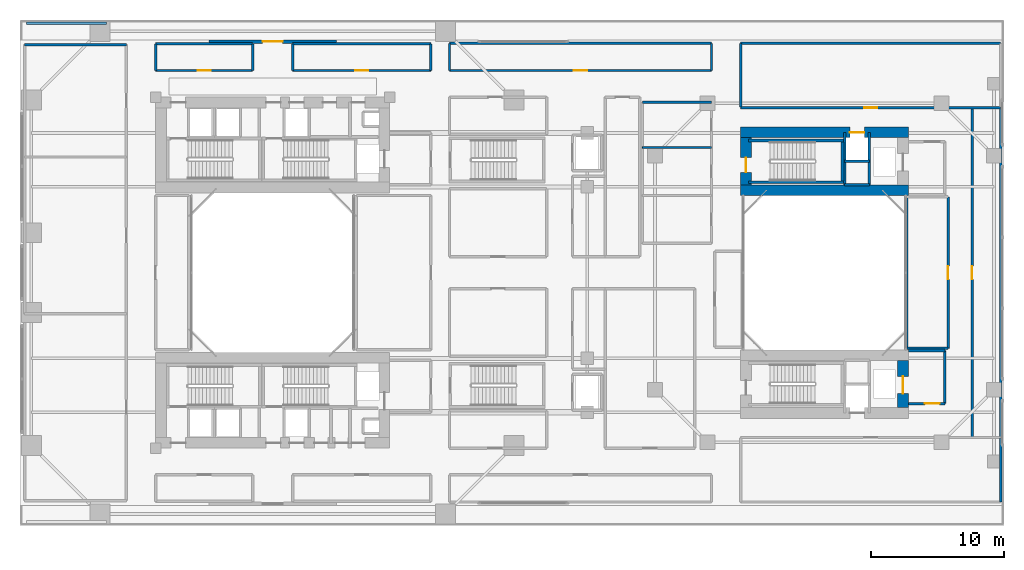
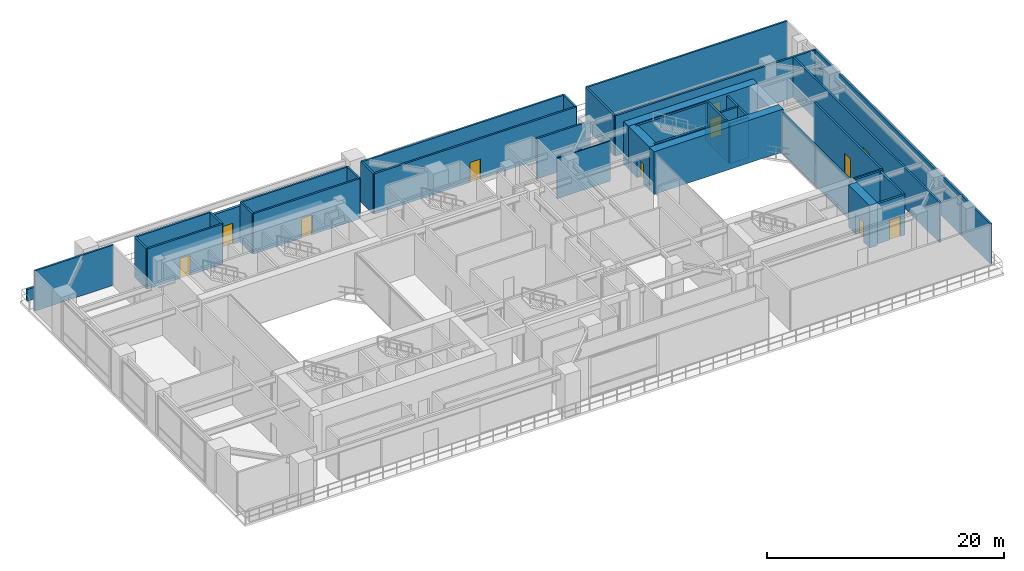
# One storey, part 15 of 20: 40 walls, 11 doors, 11 openings.
"""IFC4 building model written with IfcOpenShell, lengths in metres."""

from ifc_helpers import new_model, si_unit, direction, frame, frame_2d, origin, place, context, subcontext, project, spatial, rectangle, extrude, source, transform, mapped, material, layer, layer_set, type_object, element, fill, save


model = new_model("IFC4")

# Units and contexts
model_context = context("Model", 3, precision=1e-05, world=origin(), true_north=direction((0.0, 1.0)))
body_context = subcontext(model_context, "Body", "Model", "MODEL_VIEW")
ifc_project = project(units=[si_unit("LENGTHUNIT", "METRE"), si_unit("AREAUNIT", "SQUARE_METRE"), si_unit("VOLUMEUNIT", "CUBIC_METRE"), si_unit("PLANEANGLEUNIT", "RADIAN"), si_unit("MASSUNIT", "GRAM", prefix="KILO"), si_unit("THERMODYNAMICTEMPERATUREUNIT", "KELVIN"), si_unit("POWERUNIT", "WATT")], contexts=[model_context])

# Site, building, storey
site_placement = place(None, origin())
site = spatial("IfcSite", under=ifc_project, at=site_placement, CompositionType="ELEMENT")
building_placement = place(site_placement, origin())
building = spatial("IfcBuilding", under=site, at=building_placement, Name="Qiaomeng Ring Towers", CompositionType="ELEMENT")
storey_placement = place(building_placement, frame((0.0, 0.0, 13.800048828125)))
storey = spatial("IfcBuildingStorey", under=building, at=storey_placement, Name="L03", CompositionType="ELEMENT", Elevation=13.800048828125)

# Wall, opening, door
ifc_material_1 = material(Name="Precast concrete C40", Category="concrete")
ifc_layer_1 = layer(ifc_material_1, 0.25, Name="Precast concrete C40")
ifc_layer_set_1 = layer_set([ifc_layer_1], Name="Precast concrete C40")
wall_type_1 = type_object("IfcWallType", Name="ARC-WL-EW1", PredefinedType="STANDARD", material=ifc_layer_set_1)
wall_1_placement = place(storey_placement, frame((14.199951171875, 40.375, 0.0), z_axis=(0.0, 0.0, 1.0), x_axis=(1.0, 0.0, 0.0)))
wall_1 = element("IfcWall", 1, at=wall_1_placement, inside=storey, type_object=wall_type_1, Name="L03 North Podium Wall", PredefinedType="STANDARD", context=body_context, shape_type="SweptSolid", body=[
    extrude(rectangle(XDim=9.60009765625, YDim=0.25, at=frame_2d((4.800048828125, 0.0))), origin(), (0.0, 0.0, 1.0), 3.68994140625),
])
opening_1_placement = place(wall_1_placement, frame((4.050048828125, 0.0, 0.0)))
opening_1 = element("IfcOpeningElement", 2, at=opening_1_placement, cuts=wall_1, Name="Opening BD2", PredefinedType="OPENING", context=body_context, shape_type="SweptSolid", body=[
    extrude(rectangle(XDim=1.5, YDim=2.14990234375, at=frame_2d((0.75, 1.074951171875))), frame((0.0, 0.135009765625, 0.0), z_axis=(0.0, -1.0, 0.0), x_axis=(1.0, 0.0, 0.0)), (0.0, 0.0, 1.0), 0.27001953125),
])
ifc_material_2 = material(Name="Low-E pale-green laminated safety glass", Category="glass")
door_type_1 = type_object("IfcDoorType", Name="ARC-DR-BD2", OperationType="NOTDEFINED", PredefinedType="DOOR", material=ifc_material_2)
shared_shape_1 = source(origin(), body_context, "Body", "SweptSolid", [
    extrude(rectangle(XDim=1.5, YDim=2.14990234375, at=frame_2d((0.75, 1.074951171875))), frame((0.0, 0.02490234375, 0.0), z_axis=(0.0, -1.0, 0.0), x_axis=(1.0, 0.0, 0.0)), (0.0, 0.0, 1.0), 0.050048828125),
])
door_1_placement = place(opening_1_placement, origin())
door_1 = element("IfcDoor", 3, at=door_1_placement, inside=storey, type_object=door_type_1, Name="L03 North Podium Terrace Door", OperationType="DOUBLE_DOOR_SINGLE_SWING", OverallHeight=2.14990234375, OverallWidth=1.5, PredefinedType="DOOR", context=body_context, shape_type="MappedRepresentation", body=[
    mapped(shared_shape_1, transform((0.0, 0.0, 0.0), x_axis=(1.0, 0.0, 0.0), y_axis=(0.0, 1.0, 0.0), z_axis=(0.0, 0.0, 1.0), scale=1.0)),
])
fill(opening_1, door_1)

# Walls
ifc_layer_2 = layer(ifc_material_1, 0.199951171875, Name="Precast concrete C40")
ifc_layer_set_2 = layer_set([ifc_layer_2], Name="Precast concrete C40")
wall_type_2 = type_object("IfcWallType", Name="ARC-WL-PP1", PredefinedType="PARAPET", material=ifc_layer_set_2)
wall_2_placement = place(storey_placement, frame((0.5, 41.75, 0.0), z_axis=(0.0, 0.0, 1.0), x_axis=(1.0, 0.0, 0.0)))
element("IfcWall", 4, at=wall_2_placement, inside=storey, type_object=wall_type_2, Name="L03 North Terrace Parapet PP1", PredefinedType="PARAPET", context=body_context, shape_type="SweptSolid", body=[
    extrude(rectangle(XDim=6.0, YDim=0.199951171875, at=frame_2d((3.0, 0.0))), origin(), (0.0, 0.0, 1.0), 1.199951171875),
])
ifc_material_3 = material(Name="Autoclaved aerated concrete block", Category="concrete")
ifc_layer_3 = layer(ifc_material_3, 0.199951171875, Name="Autoclaved aerated concrete block")
ifc_layer_set_3 = layer_set([ifc_layer_3], Name="Autoclaved aerated concrete block")
wall_type_3 = type_object("IfcWallType", Name="ARC-WL-PW1", PredefinedType="PARTITIONING", material=ifc_layer_set_3)
wall_3_placement = place(storey_placement, frame((66.800048828125, 17.14990234375, 0.0), z_axis=(0.0, 0.0, 1.0), x_axis=(1.0, 0.0, 0.0)))
element("IfcWall", 5, at=wall_3_placement, inside=storey, type_object=wall_type_3, Name="L03 Interior Wall PW1", PredefinedType="PARTITIONING", context=body_context, shape_type="SweptSolid", body=[
    extrude(rectangle(XDim=2.75, YDim=0.199951171875, at=frame_2d((1.375, 0.0))), origin(), (0.0, 0.0, 1.0), 4.14990234375),
])
wall_4_placement = place(storey_placement, frame((69.550048828125, 13.14990234375, 0.0), z_axis=(0.0, 0.0, 1.0), x_axis=(0.0, 1.0, 0.0)))
element("IfcWall", 6, at=wall_4_placement, inside=storey, type_object=wall_type_3, Name="L03 Interior Wall PW1", PredefinedType="PARTITIONING", context=body_context, shape_type="SweptSolid", body=[
    extrude(rectangle(XDim=4.0, YDim=0.199951171875, at=frame_2d((2.0, 0.0))), origin(), (0.0, 0.0, 1.0), 4.14990234375),
])

# Wall, opening, door
wall_5_placement = place(storey_placement, frame((66.800048828125, 13.14990234375, 0.0), z_axis=(0.0, 0.0, 1.0), x_axis=(1.0, 0.0, 0.0)))
wall_5 = element("IfcWall", 7, at=wall_5_placement, inside=storey, type_object=wall_type_3, Name="L03 Interior Wall PW1", PredefinedType="PARTITIONING", context=body_context, shape_type="SweptSolid", body=[
    extrude(rectangle(XDim=2.75, YDim=0.199951171875, at=frame_2d((1.375, 0.0))), origin(), (0.0, 0.0, 1.0), 4.14990234375),
])
opening_2_placement = place(wall_5_placement, frame((1.25, 0.0, 0.0)))
opening_2 = element("IfcOpeningElement", 8, at=opening_2_placement, cuts=wall_5, Name="Opening FD3", PredefinedType="OPENING", context=body_context, shape_type="SweptSolid", body=[
    extrude(rectangle(XDim=1.10009765625, YDim=2.050048828125, at=frame_2d((0.550048828125, 1.02490234375))), frame((0.0, 0.10986328125, 0.0), z_axis=(0.0, -1.0, 0.0), x_axis=(1.0, 0.0, 0.0)), (0.0, 0.0, 1.0), 0.219970703125),
])
ifc_material_4 = material(Name="Galvanised steel", Category="steel")
door_type_2 = type_object("IfcDoorType", Name="ARC-DR-FD3", OperationType="NOTDEFINED", PredefinedType="DOOR", material=ifc_material_4)
shared_shape_2 = source(origin(), body_context, "Body", "SweptSolid", [
    extrude(rectangle(XDim=1.10009765625, YDim=2.050048828125, at=frame_2d((0.550048828125, 1.02490234375))), frame((0.0, 0.02490234375, 0.0), z_axis=(0.0, -1.0, 0.0), x_axis=(1.0, 0.0, 0.0)), (0.0, 0.0, 1.0), 0.050048828125),
])
door_2_placement = place(opening_2_placement, origin())
door_2 = element("IfcDoor", 9, at=door_2_placement, inside=storey, type_object=door_type_2, Name="L03 Door FD3", OperationType="SINGLE_SWING_RIGHT", OverallHeight=2.050048828125, OverallWidth=1.10009765625, PredefinedType="DOOR", context=body_context, shape_type="MappedRepresentation", body=[
    mapped(shared_shape_2, transform((0.0, 0.0, 0.0), x_axis=(1.0, 0.0, 0.0), y_axis=(0.0, 1.0, 0.0), z_axis=(0.0, 0.0, 1.0), scale=1.0)),
])
fill(opening_2, door_2)

# Walls
ifc_layer_4 = layer(ifc_material_3, 0.179931640625, Name="Autoclaved aerated concrete block")
ifc_layer_set_4 = layer_set([ifc_layer_4], Name="Autoclaved aerated concrete block")
wall_type_4 = type_object("IfcWallType", Name="ARC-WL-PW2", PredefinedType="PARTITIONING", material=ifc_layer_set_4)
wall_6_placement = place(storey_placement, frame((46.800048828125, 35.800048828125, 0.0), z_axis=(0.0, 0.0, 1.0), x_axis=(1.0, 0.0, 0.0)))
element("IfcWall", 10, at=wall_6_placement, inside=storey, type_object=wall_type_4, Name="L03 Interior Wall PW2", PredefinedType="PARTITIONING", context=body_context, shape_type="SweptSolid", body=[
    extrude(rectangle(XDim=5.199951171875, YDim=0.179931640625, at=frame_2d((2.60009765625, 0.0))), origin(), (0.0, 0.0, 1.0), 4.14990234375),
])
wall_7_placement = place(storey_placement, frame((0.35009765625, 40.14990234375, 0.0), z_axis=(0.0, 0.0, 1.0), x_axis=(1.0, 0.0, 0.0)))
element("IfcWall", 11, at=wall_7_placement, inside=storey, type_object=wall_type_4, Name="L03 Interior Wall PW2", PredefinedType="PARTITIONING", context=body_context, shape_type="SweptSolid", body=[
    extrude(rectangle(XDim=7.64990234375, YDim=0.179931640625, at=frame_2d((3.824951171875, 0.0))), origin(), (0.0, 0.0, 1.0), 4.14990234375),
])

# Wall, opening, door
wall_8_placement = place(storey_placement, frame((10.199951171875, 38.199951171875, 0.0), z_axis=(0.0, 0.0, 1.0), x_axis=(1.0, 0.0, 0.0)))
wall_8 = element("IfcWall", 12, at=wall_8_placement, inside=storey, type_object=wall_type_4, Name="L03 Interior Wall PW2", PredefinedType="PARTITIONING", context=body_context, shape_type="SweptSolid", body=[
    extrude(rectangle(XDim=7.300048828125, YDim=0.179931640625, at=frame_2d((3.64990234375, 0.0))), origin(), (0.0, 0.0, 1.0), 4.14990234375),
])
opening_3_placement = place(wall_8_placement, frame((3.14990234375, 0.0, 0.0)))
opening_3 = element("IfcOpeningElement", 13, at=opening_3_placement, cuts=wall_8, Name="Opening FD4", PredefinedType="OPENING", context=body_context, shape_type="SweptSolid", body=[
    extrude(rectangle(XDim=1.0, YDim=2.050048828125, at=frame_2d((0.5, 1.02490234375))), frame((0.0, 0.099853515625, 0.0), z_axis=(0.0, -1.0, 0.0), x_axis=(1.0, 0.0, 0.0)), (0.0, 0.0, 1.0), 0.199951171875),
])
ifc_material_5 = material(Name="Engineered fire-rated oak timber", Category="wood")
door_type_3 = type_object("IfcDoorType", Name="ARC-DR-FD4", OperationType="NOTDEFINED", PredefinedType="DOOR", material=ifc_material_5)
shared_shape_3 = source(origin(), body_context, "Body", "SweptSolid", [
    extrude(rectangle(XDim=1.0, YDim=2.050048828125, at=frame_2d((0.5, 1.02490234375))), frame((0.0, 0.02490234375, 0.0), z_axis=(0.0, -1.0, 0.0), x_axis=(1.0, 0.0, 0.0)), (0.0, 0.0, 1.0), 0.050048828125),
])
door_3_placement = place(opening_3_placement, origin())
door_3 = element("IfcDoor", 14, at=door_3_placement, inside=storey, type_object=door_type_3, Name="L03 L03 Geriatric Wellness Clinic Door", OperationType="SINGLE_SWING_LEFT", OverallHeight=2.050048828125, OverallWidth=1.0, PredefinedType="DOOR", context=body_context, shape_type="MappedRepresentation", body=[
    mapped(shared_shape_3, transform((0.0, 0.0, 0.0), x_axis=(1.0, 0.0, 0.0), y_axis=(0.0, 1.0, 0.0), z_axis=(0.0, 0.0, 1.0), scale=1.0)),
])
fill(opening_3, door_3)

# Walls
wall_9_placement = place(storey_placement, frame((10.199951171875, 40.199951171875, 0.0), z_axis=(0.0, 0.0, 1.0), x_axis=(1.0, 0.0, 0.0)))
element("IfcWall", 15, at=wall_9_placement, inside=storey, type_object=wall_type_4, Name="L03 Interior Wall PW2", PredefinedType="PARTITIONING", context=body_context, shape_type="SweptSolid", body=[
    extrude(rectangle(XDim=7.300048828125, YDim=0.179931640625, at=frame_2d((3.64990234375, 0.0))), origin(), (0.0, 0.0, 1.0), 4.14990234375),
])
for number, where, z_axis, x_axis, name in (
    (16, (10.199951171875, 38.199951171875, 0.0), (0.0, 0.0, 1.0), (0.0, 1.0, 0.0), "L03 Interior Wall PW2"),
    (17, (17.5, 38.199951171875, 0.0), (0.0, 0.0, 1.0), (0.0, 1.0, 0.0), "L03 Interior Wall PW2"),
):
    element("IfcWall", number, at=place(storey_placement, frame(where, z_axis=z_axis, x_axis=x_axis)), inside=storey, type_object=wall_type_4, Name=name, PredefinedType="PARTITIONING", context=body_context, shape_type="SweptSolid", body=[
        extrude(rectangle(XDim=2.0, YDim=0.179931640625, at=frame_2d((1.0, 0.0))), origin(), (0.0, 0.0, 1.0), 4.14990234375),
    ])

# Wall, opening, door
wall_10_placement = place(storey_placement, frame((20.5, 38.199951171875, 0.0), z_axis=(0.0, 0.0, 1.0), x_axis=(1.0, 0.0, 0.0)))
wall_10 = element("IfcWall", 18, at=wall_10_placement, inside=storey, type_object=wall_type_4, Name="L03 Interior Wall PW2", PredefinedType="PARTITIONING", context=body_context, shape_type="SweptSolid", body=[
    extrude(rectangle(XDim=10.39990234375, YDim=0.179931640625, at=frame_2d((5.199951171875, 0.0))), origin(), (0.0, 0.0, 1.0), 4.14990234375),
])
opening_4_placement = place(wall_10_placement, frame((4.699951171875, 0.0, 0.0)))
opening_4 = element("IfcOpeningElement", 19, at=opening_4_placement, cuts=wall_10, Name="Opening FD4", PredefinedType="OPENING", context=body_context, shape_type="SweptSolid", body=[
    extrude(rectangle(XDim=1.0, YDim=2.050048828125, at=frame_2d((0.5, 1.02490234375))), frame((0.0, 0.099853515625, 0.0), z_axis=(0.0, -1.0, 0.0), x_axis=(1.0, 0.0, 0.0)), (0.0, 0.0, 1.0), 0.199951171875),
])
door_4_placement = place(opening_4_placement, origin())
door_4 = element("IfcDoor", 20, at=door_4_placement, inside=storey, type_object=door_type_3, Name="L03 L03 Medical Staff Conference Suite Door", OperationType="SINGLE_SWING_RIGHT", OverallHeight=2.050048828125, OverallWidth=1.0, PredefinedType="DOOR", context=body_context, shape_type="MappedRepresentation", body=[
    mapped(shared_shape_3, transform((0.0, 0.0, 0.0), x_axis=(1.0, 0.0, 0.0), y_axis=(0.0, 1.0, 0.0), z_axis=(0.0, 0.0, 1.0), scale=1.0)),
])
fill(opening_4, door_4)

# Walls
wall_11_placement = place(storey_placement, frame((20.5, 40.199951171875, 0.0), z_axis=(0.0, 0.0, 1.0), x_axis=(1.0, 0.0, 0.0)))
element("IfcWall", 21, at=wall_11_placement, inside=storey, type_object=wall_type_4, Name="L03 Interior Wall PW2", PredefinedType="PARTITIONING", context=body_context, shape_type="SweptSolid", body=[
    extrude(rectangle(XDim=10.39990234375, YDim=0.179931640625, at=frame_2d((5.199951171875, 0.0))), origin(), (0.0, 0.0, 1.0), 4.14990234375),
])
for number, where, z_axis, x_axis, name in (
    (22, (20.5, 38.199951171875, 0.0), (0.0, 0.0, 1.0), (0.0, 1.0, 0.0), "L03 Interior Wall PW2"),
    (23, (30.89990234375, 38.199951171875, 0.0), (0.0, 0.0, 1.0), (0.0, 1.0, 0.0), "L03 Interior Wall PW2"),
):
    element("IfcWall", number, at=place(storey_placement, frame(where, z_axis=z_axis, x_axis=x_axis)), inside=storey, type_object=wall_type_4, Name=name, PredefinedType="PARTITIONING", context=body_context, shape_type="SweptSolid", body=[
        extrude(rectangle(XDim=2.0, YDim=0.179931640625, at=frame_2d((1.0, 0.0))), origin(), (0.0, 0.0, 1.0), 4.14990234375),
    ])
wall_12_placement = place(storey_placement, frame((66.699951171875, 17.300048828125, 0.0), z_axis=(0.0, 0.0, 1.0), x_axis=(1.0, 0.0, 0.0)))
element("IfcWall", 24, at=wall_12_placement, inside=storey, type_object=wall_type_4, Name="L03 Interior Wall PW2", PredefinedType="PARTITIONING", context=body_context, shape_type="SweptSolid", body=[
    extrude(rectangle(XDim=3.10009765625, YDim=0.179931640625, at=frame_2d((1.550048828125, 0.0))), origin(), (0.0, 0.0, 1.0), 4.14990234375),
])
wall_13_placement = place(storey_placement, frame((66.699951171875, 17.300048828125, 0.0), z_axis=(0.0, 0.0, 1.0), x_axis=(0.0, 1.0, 0.0)))
element("IfcWall", 25, at=wall_13_placement, inside=storey, type_object=wall_type_4, Name="L03 Interior Wall PW2", PredefinedType="PARTITIONING", context=body_context, shape_type="SweptSolid", body=[
    extrude(rectangle(XDim=11.39990234375, YDim=0.179931640625, at=frame_2d((5.699951171875, 0.0))), origin(), (0.0, 0.0, 1.0), 4.14990234375),
])

# Wall, opening, door
wall_14_placement = place(storey_placement, frame((69.800048828125, 17.300048828125, 0.0), z_axis=(0.0, 0.0, 1.0), x_axis=(0.0, 1.0, 0.0)))
wall_14 = element("IfcWall", 26, at=wall_14_placement, inside=storey, type_object=wall_type_4, Name="L03 Interior Wall PW2", PredefinedType="PARTITIONING", context=body_context, shape_type="SweptSolid", body=[
    extrude(rectangle(XDim=11.39990234375, YDim=0.179931640625, at=frame_2d((5.699951171875, 0.0))), origin(), (0.0, 0.0, 1.0), 4.14990234375),
])
opening_5_placement = place(wall_14_placement, frame((5.199951171875, 0.0, 0.0)))
opening_5 = element("IfcOpeningElement", 27, at=opening_5_placement, cuts=wall_14, Name="Opening FD4", PredefinedType="OPENING", context=body_context, shape_type="SweptSolid", body=[
    extrude(rectangle(XDim=1.0, YDim=2.050048828125, at=frame_2d((0.5, 1.02490234375))), frame((0.0, 0.099853515625, 0.0), z_axis=(0.0, -1.0, 0.0), x_axis=(1.0, 0.0, 0.0)), (0.0, 0.0, 1.0), 0.199951171875),
])
door_5_placement = place(opening_5_placement, origin())
door_5 = element("IfcDoor", 28, at=door_5_placement, inside=storey, type_object=door_type_3, Name="L03 L03 Health Education Seminar Room Door", OperationType="SINGLE_SWING_LEFT", OverallHeight=2.050048828125, OverallWidth=1.0, PredefinedType="DOOR", context=body_context, shape_type="MappedRepresentation", body=[
    mapped(shared_shape_3, transform((0.0, 0.0, 0.0), x_axis=(1.0, 0.0, 0.0), y_axis=(0.0, 1.0, 0.0), z_axis=(0.0, 0.0, 1.0), scale=1.0)),
])
fill(opening_5, door_5)

wall_15_placement = place(storey_placement, frame((54.199951171875, 35.39990234375, 0.0), z_axis=(0.0, 0.0, 1.0), x_axis=(1.0, 0.0, 0.0)))
wall_15 = element("IfcWall", 29, at=wall_15_placement, inside=storey, type_object=wall_type_4, Name="L03 Interior Wall PW2", PredefinedType="PARTITIONING", context=body_context, shape_type="SweptSolid", body=[
    extrude(rectangle(XDim=19.550048828125, YDim=0.179931640625, at=frame_2d((9.77490234375, 0.0))), origin(), (0.0, 0.0, 1.0), 4.14990234375),
])
opening_6_placement = place(wall_15_placement, frame((9.27490234375, 0.0, 0.0)))
opening_6 = element("IfcOpeningElement", 30, at=opening_6_placement, cuts=wall_15, Name="Opening FD4", PredefinedType="OPENING", context=body_context, shape_type="SweptSolid", body=[
    extrude(rectangle(XDim=1.0, YDim=2.050048828125, at=frame_2d((0.5, 1.02490234375))), frame((0.0, 0.099853515625, 0.0), z_axis=(0.0, -1.0, 0.0), x_axis=(1.0, 0.0, 0.0)), (0.0, 0.0, 1.0), 0.199951171875),
])
door_6_placement = place(opening_6_placement, origin())
door_6 = element("IfcDoor", 31, at=door_6_placement, inside=storey, type_object=door_type_3, Name="L03 L03 Staff Dining Room Door", OperationType="SINGLE_SWING_RIGHT", OverallHeight=2.050048828125, OverallWidth=1.0, PredefinedType="DOOR", context=body_context, shape_type="MappedRepresentation", body=[
    mapped(shared_shape_3, transform((0.0, 0.0, 0.0), x_axis=(1.0, 0.0, 0.0), y_axis=(0.0, 1.0, 0.0), z_axis=(0.0, 0.0, 1.0), scale=1.0)),
])
fill(opening_6, door_6)

wall_16_placement = place(storey_placement, frame((71.60009765625, 10.60009765625, 0.0), z_axis=(0.0, 0.0, 1.0), x_axis=(0.0, 1.0, 0.0)))
wall_16 = element("IfcWall", 32, at=wall_16_placement, inside=storey, type_object=wall_type_4, Name="L03 Interior Wall PW2", PredefinedType="PARTITIONING", context=body_context, shape_type="SweptSolid", body=[
    extrude(rectangle(XDim=24.7998046875, YDim=0.179931640625, at=frame_2d((12.39990234375, 0.0))), origin(), (0.0, 0.0, 1.0), 4.14990234375),
])
opening_7_placement = place(wall_16_placement, frame((11.89990234375, 0.0, 0.0)))
opening_7 = element("IfcOpeningElement", 33, at=opening_7_placement, cuts=wall_16, Name="Opening FD4", PredefinedType="OPENING", context=body_context, shape_type="SweptSolid", body=[
    extrude(rectangle(XDim=1.0, YDim=2.050048828125, at=frame_2d((0.5, 1.02490234375))), frame((0.0, 0.099853515625, 0.0), z_axis=(0.0, -1.0, 0.0), x_axis=(1.0, 0.0, 0.0)), (0.0, 0.0, 1.0), 0.199951171875),
])
door_7_placement = place(opening_7_placement, origin())
door_7 = element("IfcDoor", 34, at=door_7_placement, inside=storey, type_object=door_type_3, Name="L03 L03 Nutrition Counselling Office Door", OperationType="SINGLE_SWING_RIGHT", OverallHeight=2.050048828125, OverallWidth=1.0, PredefinedType="DOOR", context=body_context, shape_type="MappedRepresentation", body=[
    mapped(shared_shape_3, transform((0.0, 0.0, 0.0), x_axis=(1.0, 0.0, 0.0), y_axis=(0.0, 1.0, 0.0), z_axis=(0.0, 0.0, 1.0), scale=1.0)),
])
fill(opening_7, door_7)

# Walls
wall_17_placement = place(storey_placement, frame((73.75, 10.60009765625, 0.0), z_axis=(0.0, 0.0, 1.0), x_axis=(0.0, 1.0, 0.0)))
element("IfcWall", 35, at=wall_17_placement, inside=storey, type_object=wall_type_4, Name="L03 Interior Wall PW2", PredefinedType="PARTITIONING", context=body_context, shape_type="SweptSolid", body=[
    extrude(rectangle(XDim=24.7998046875, YDim=0.179931640625, at=frame_2d((12.39990234375, 0.0))), origin(), (0.0, 0.0, 1.0), 4.14990234375),
])
wall_18_placement = place(storey_placement, frame((73.75, 5.75, 0.0), z_axis=(0.0, 0.0, 1.0), x_axis=(0.0, 1.0, 0.0)))
element("IfcWall", 36, at=wall_18_placement, inside=storey, type_object=wall_type_4, Name="L03 Interior Wall PW2", PredefinedType="PARTITIONING", context=body_context, shape_type="SweptSolid", body=[
    extrude(rectangle(XDim=4.800048828125, YDim=0.179931640625, at=frame_2d((2.39990234375, 0.0))), origin(), (0.0, 0.0, 1.0), 4.14990234375),
])
wall_19_placement = place(storey_placement, frame((54.199951171875, 40.25, 0.0), z_axis=(0.0, 0.0, 1.0), x_axis=(1.0, 0.0, 0.0)))
element("IfcWall", 37, at=wall_19_placement, inside=storey, type_object=wall_type_4, Name="L03 Interior Wall PW2", PredefinedType="PARTITIONING", context=body_context, shape_type="SweptSolid", body=[
    extrude(rectangle(XDim=19.550048828125, YDim=0.179931640625, at=frame_2d((9.77490234375, 0.0))), origin(), (0.0, 0.0, 1.0), 4.14990234375),
])
wall_20_placement = place(storey_placement, frame((54.199951171875, 35.449951171875, 0.0), z_axis=(0.0, 0.0, 1.0), x_axis=(0.0, 1.0, 0.0)))
element("IfcWall", 38, at=wall_20_placement, inside=storey, type_object=wall_type_4, Name="L03 Interior Wall PW2", PredefinedType="PARTITIONING", context=body_context, shape_type="SweptSolid", body=[
    extrude(rectangle(XDim=4.800048828125, YDim=0.179931640625, at=frame_2d((2.39990234375, 0.0))), origin(), (0.0, 0.0, 1.0), 4.14990234375),
])

# Wall, opening, door
wall_21_placement = place(storey_placement, frame((32.300048828125, 38.199951171875, 0.0), z_axis=(0.0, 0.0, 1.0), x_axis=(1.0, 0.0, 0.0)))
wall_21 = element("IfcWall", 39, at=wall_21_placement, inside=storey, type_object=wall_type_4, Name="L03 Interior Wall PW2", PredefinedType="PARTITIONING", context=body_context, shape_type="SweptSolid", body=[
    extrude(rectangle(XDim=19.699951171875, YDim=0.179931640625, at=frame_2d((9.85009765625, 0.0))), origin(), (0.0, 0.0, 1.0), 4.14990234375),
])
opening_8_placement = place(wall_21_placement, frame((9.35009765625, 0.0, 0.0)))
opening_8 = element("IfcOpeningElement", 40, at=opening_8_placement, cuts=wall_21, Name="Opening FD4", PredefinedType="OPENING", context=body_context, shape_type="SweptSolid", body=[
    extrude(rectangle(XDim=1.0, YDim=2.050048828125, at=frame_2d((0.5, 1.02490234375))), frame((0.0, 0.099853515625, 0.0), z_axis=(0.0, -1.0, 0.0), x_axis=(1.0, 0.0, 0.0)), (0.0, 0.0, 1.0), 0.199951171875),
])
door_8_placement = place(opening_8_placement, origin())
door_8 = element("IfcDoor", 41, at=door_8_placement, inside=storey, type_object=door_type_3, Name="L03 L03 Preventive Screening Suite Door", OperationType="SINGLE_SWING_RIGHT", OverallHeight=2.050048828125, OverallWidth=1.0, PredefinedType="DOOR", context=body_context, shape_type="MappedRepresentation", body=[
    mapped(shared_shape_3, transform((0.0, 0.0, 0.0), x_axis=(1.0, 0.0, 0.0), y_axis=(0.0, 1.0, 0.0), z_axis=(0.0, 0.0, 1.0), scale=1.0)),
])
fill(opening_8, door_8)

# Walls
wall_22_placement = place(storey_placement, frame((32.300048828125, 40.25, 0.0), z_axis=(0.0, 0.0, 1.0), x_axis=(1.0, 0.0, 0.0)))
element("IfcWall", 42, at=wall_22_placement, inside=storey, type_object=wall_type_4, Name="L03 Interior Wall PW2", PredefinedType="PARTITIONING", context=body_context, shape_type="SweptSolid", body=[
    extrude(rectangle(XDim=19.699951171875, YDim=0.179931640625, at=frame_2d((9.85009765625, 0.0))), origin(), (0.0, 0.0, 1.0), 4.14990234375),
])
for number, where, z_axis, x_axis, name in (
    (43, (32.300048828125, 38.199951171875, 0.0), (0.0, 0.0, 1.0), (0.0, 1.0, 0.0), "L03 Interior Wall PW2"),
    (44, (52.0, 38.199951171875, 0.0), (0.0, 0.0, 1.0), (0.0, 1.0, 0.0), "L03 Interior Wall PW2"),
):
    element("IfcWall", number, at=place(storey_placement, frame(where, z_axis=z_axis, x_axis=x_axis)), inside=storey, type_object=wall_type_4, Name=name, PredefinedType="PARTITIONING", context=body_context, shape_type="SweptSolid", body=[
        extrude(rectangle(XDim=2.050048828125, YDim=0.179931640625, at=frame_2d((1.02490234375, 0.0))), origin(), (0.0, 0.0, 1.0), 4.14990234375),
    ])
ifc_material_6 = material(Name="Moisture-resistant gypsum steel-stud partition", Category="steel")
ifc_layer_5 = layer(ifc_material_6, 0.1201171875, Name="Moisture-resistant gypsum steel-stud partition")
ifc_layer_set_5 = layer_set([ifc_layer_5], Name="Moisture-resistant gypsum steel-stud partition")
wall_type_5 = type_object("IfcWallType", Name="ARC-WL-PW4", PredefinedType="PLUMBINGWALL", material=ifc_layer_set_5)
wall_23_placement = place(storey_placement, frame((46.800048828125, 32.409912109375, 0.0), z_axis=(0.0, 0.0, 1.0), x_axis=(1.0, 0.0, 0.0)))
element("IfcWall", 45, at=wall_23_placement, inside=storey, type_object=wall_type_5, Name="L03 Interior Wall PW4", PredefinedType="PLUMBINGWALL", context=body_context, shape_type="SweptSolid", body=[
    extrude(rectangle(XDim=5.199951171875, YDim=0.1201171875, at=frame_2d((2.60009765625, 0.0))), origin(), (0.0, 0.0, 1.0), 4.14990234375),
])
ifc_material_7 = material(Name="Concrete C40", Category="concrete")
ifc_layer_6 = layer(ifc_material_7, 0.199951171875, Name="Concrete C40")
ifc_layer_set_6 = layer_set([ifc_layer_6], Name="Concrete C40")
wall_type_6 = type_object("IfcWallType", Name="STR-WL-STSHAFT", PredefinedType="SHEAR", material=ifc_layer_set_6)
for number, where, z_axis, x_axis, name in (
    (46, (62.02001953125, 29.60009765625, 0.0), (0.0, 0.0, 1.0), (0.0, 1.0, 0.0), "L03 Companion Lift Shaft West Wall N"),
    (47, (63.8798828125, 29.60009765625, 0.0), (0.0, 0.0, 1.0), (0.0, 1.0, 0.0), "L03 Companion Lift Shaft East Wall N"),
):
    element("IfcWall", number, at=place(storey_placement, frame(where, z_axis=z_axis, x_axis=x_axis)), inside=storey, type_object=wall_type_6, Name=name, PredefinedType="SHEAR", context=body_context, shape_type="SweptSolid", body=[
        extrude(rectangle(XDim=3.949951171875, YDim=0.179931640625, at=frame_2d((1.97509765625, 0.0))), origin(), (0.0, 0.0, 1.0), 4.14990234375),
    ])
for number, where, z_axis, x_axis, name in (
    (48, (62.02001953125, 31.3798828125, 0.0), (0.0, 0.0, 1.0), (1.0, 0.0, 0.0), "L03 Companion Lift Shaft Divider Wall N"),
    (49, (62.02001953125, 29.60009765625, 0.0), (0.0, 0.0, 1.0), (1.0, 0.0, 0.0), "L03 Companion Riser Shaft Back Wall N"),
):
    element("IfcWall", number, at=place(storey_placement, frame(where, z_axis=z_axis, x_axis=x_axis)), inside=storey, type_object=wall_type_6, Name=name, PredefinedType="SHEAR", context=body_context, shape_type="SweptSolid", body=[
        extrude(rectangle(XDim=1.85986328125, YDim=0.179931640625, at=frame_2d((0.929931640625, 0.0))), origin(), (0.0, 0.0, 1.0), 4.14990234375),
    ])
for number, where, z_axis, x_axis, name in (
    (50, (54.800048828125, 29.800048828125, 0.0), (0.0, 0.0, 1.0), (1.0, 0.0, 0.0), "L03 Stair ST5 South Shaft Shear Wall"),
    (51, (54.800048828125, 32.93994140625, 0.0), (0.0, 0.0, 1.0), (1.0, 0.0, 0.0), "L03 Stair ST5 North Shaft Shear Wall"),
):
    element("IfcWall", number, at=place(storey_placement, frame(where, z_axis=z_axis, x_axis=x_axis)), inside=storey, type_object=wall_type_6, Name=name, PredefinedType="SHEAR", context=body_context, shape_type="SweptSolid", body=[
        extrude(rectangle(XDim=7.14990234375, YDim=0.199951171875, at=frame_2d((3.574951171875, 0.0))), origin(), (0.0, 0.0, 1.0), 4.39990234375),
    ])
wall_24_placement = place(storey_placement, frame((61.85009765625, 29.89990234375, 0.0), z_axis=(0.0, 0.0, 1.0), x_axis=(0.0, 1.0, 0.0)))
element("IfcWall", 52, at=wall_24_placement, inside=storey, type_object=wall_type_6, Name="L03 Stair ST5 East Shaft Shear Wall", PredefinedType="SHEAR", context=body_context, shape_type="SweptSolid", body=[
    extrude(rectangle(XDim=2.940185546875, YDim=0.199951171875, at=frame_2d((1.47021484375, 0.0))), origin(), (0.0, 0.0, 1.0), 4.39990234375),
])
ifc_material_8 = material(Name="Concrete C60", Category="concrete")
ifc_layer_7 = layer(ifc_material_8, 0.800048828125, Name="Concrete C60")
ifc_layer_set_7 = layer_set([ifc_layer_7], Name="Concrete C60")
wall_type_7 = type_object("IfcWallType", Name="STR-WL-SW1", PredefinedType="SHEAR", material=ifc_layer_set_7)
wall_25_placement = place(storey_placement, frame((54.199951171875, 29.199951171875, 0.0), z_axis=(0.0, 0.0, 1.0), x_axis=(1.0, 0.0, 0.0)))
element("IfcWall", 53, at=wall_25_placement, inside=storey, type_object=wall_type_7, Name="L03 T2NC south core shear wall", PredefinedType="SHEAR", context=body_context, shape_type="SweptSolid", body=[
    extrude(rectangle(XDim=12.60009765625, YDim=0.800048828125, at=frame_2d((6.300048828125, 0.0))), origin(), (0.0, 0.0, 1.0), 4.39990234375),
])

# Wall, opening, door
wall_26_placement = place(storey_placement, frame((54.199951171875, 33.550048828125, 0.0), z_axis=(0.0, 0.0, 1.0), x_axis=(1.0, 0.0, 0.0)))
wall_26 = element("IfcWall", 54, at=wall_26_placement, inside=storey, type_object=wall_type_7, Name="L03 T2NC north core shear wall", PredefinedType="SHEAR", context=body_context, shape_type="SweptSolid", body=[
    extrude(rectangle(XDim=12.60009765625, YDim=0.800048828125, at=frame_2d((6.300048828125, 0.0))), origin(), (0.0, 0.0, 1.0), 4.39990234375),
])
opening_9_placement = place(wall_26_placement, frame((8.199951171875, 0.0, 0.0)))
opening_9 = element("IfcOpeningElement", 55, at=opening_9_placement, cuts=wall_26, Name="Opening LD1", PredefinedType="OPENING", context=body_context, shape_type="SweptSolid", body=[
    extrude(rectangle(XDim=1.10009765625, YDim=2.050048828125, at=frame_2d((0.550048828125, 1.02490234375))), frame((0.0, 0.409912109375, 0.0), z_axis=(0.0, -1.0, 0.0), x_axis=(1.0, 0.0, 0.0)), (0.0, 0.0, 1.0), 0.820068359375),
])
ifc_material_9 = material(Name="Stainless steel 316", Category="steel")
door_type_4 = type_object("IfcDoorType", Name="ARC-DR-LD1", OperationType="NOTDEFINED", PredefinedType="DOOR", material=ifc_material_9)
door_9_placement = place(opening_9_placement, origin())
door_9 = element("IfcDoor", 56, at=door_9_placement, inside=storey, type_object=door_type_4, Name="L03 Companion Lift LP7 Landing Door", OperationType="SLIDING_TO_LEFT", OverallHeight=2.050048828125, OverallWidth=1.10009765625, PredefinedType="DOOR", context=body_context, shape_type="MappedRepresentation", body=[
    mapped(shared_shape_2, transform((0.0, 0.0, 0.0), x_axis=(1.0, 0.0, 0.0), y_axis=(0.0, 1.0, 0.0), z_axis=(0.0, 0.0, 1.0), scale=1.0)),
])
fill(opening_9, door_9)

wall_27_placement = place(storey_placement, frame((54.60009765625, 29.60009765625, 0.0), z_axis=(0.0, 0.0, 1.0), x_axis=(0.0, 1.0, 0.0)))
wall_27 = element("IfcWall", 57, at=wall_27_placement, inside=storey, type_object=wall_type_7, Name="L03 T2NC west core shear wall", PredefinedType="SHEAR", context=body_context, shape_type="SweptSolid", body=[
    extrude(rectangle(XDim=3.5498046875, YDim=0.800048828125, at=frame_2d((1.77490234375, 0.0))), origin(), (0.0, 0.0, 1.0), 4.39990234375),
])
opening_10_placement = place(wall_27_placement, frame((0.949951171875, 0.0, 0.0)))
opening_10 = element("IfcOpeningElement", 58, at=opening_10_placement, cuts=wall_27, Name="Opening FD3", PredefinedType="OPENING", context=body_context, shape_type="SweptSolid", body=[
    extrude(rectangle(XDim=1.10009765625, YDim=2.050048828125, at=frame_2d((0.550048828125, 1.02490234375))), frame((0.0, 0.409912109375, 0.0), z_axis=(0.0, -1.0, 0.0), x_axis=(1.0, 0.0, 0.0)), (0.0, 0.0, 1.0), 0.820068359375),
])
door_10_placement = place(opening_10_placement, origin())
door_10 = element("IfcDoor", 59, at=door_10_placement, inside=storey, type_object=door_type_2, Name="L03 Stair ST5 Exit Door", OperationType="SINGLE_SWING_LEFT", OverallHeight=2.050048828125, OverallWidth=1.10009765625, PredefinedType="DOOR", context=body_context, shape_type="MappedRepresentation", body=[
    mapped(shared_shape_2, transform((0.0, 0.0, 0.0), x_axis=(1.0, 0.0, 0.0), y_axis=(0.0, 1.0, 0.0), z_axis=(0.0, 0.0, 1.0), scale=1.0)),
])
fill(opening_10, door_10)

wall_28_placement = place(storey_placement, frame((66.39990234375, 12.85009765625, 0.0), z_axis=(0.0, 0.0, 1.0), x_axis=(0.0, 1.0, 0.0)))
wall_28 = element("IfcWall", 60, at=wall_28_placement, inside=storey, type_object=wall_type_7, Name="L03 T2SC east core shear wall", PredefinedType="SHEAR", context=body_context, shape_type="SweptSolid", body=[
    extrude(rectangle(XDim=3.5498046875, YDim=0.800048828125, at=frame_2d((1.77490234375, 0.0))), origin(), (0.0, 0.0, 1.0), 4.39990234375),
])
opening_11_placement = place(wall_28_placement, frame((1.050048828125, 0.0, 0.0)))
opening_11 = element("IfcOpeningElement", 61, at=opening_11_placement, cuts=wall_28, Name="Opening LD2", PredefinedType="OPENING", context=body_context, shape_type="SweptSolid", body=[
    extrude(rectangle(XDim=1.300048828125, YDim=2.050048828125, at=frame_2d((0.64990234375, 1.02490234375))), frame((0.0, 0.409912109375, 0.0), z_axis=(0.0, -1.0, 0.0), x_axis=(1.0, 0.0, 0.0)), (0.0, 0.0, 1.0), 0.820068359375),
])
door_type_5 = type_object("IfcDoorType", Name="ARC-DR-LD2", OperationType="NOTDEFINED", PredefinedType="DOOR", material=ifc_material_9)
shared_shape_4 = source(origin(), body_context, "Body", "SweptSolid", [
    extrude(rectangle(XDim=1.300048828125, YDim=2.050048828125, at=frame_2d((0.64990234375, 1.02490234375))), frame((0.0, 0.02490234375, 0.0), z_axis=(0.0, -1.0, 0.0), x_axis=(1.0, 0.0, 0.0)), (0.0, 0.0, 1.0), 0.050048828125),
])
door_11_placement = place(opening_11_placement, origin())
door_11 = element("IfcDoor", 62, at=door_11_placement, inside=storey, type_object=door_type_5, Name="L03 Firefighting Lift FL4 Landing Door", OperationType="SLIDING_TO_RIGHT", OverallHeight=2.050048828125, OverallWidth=1.300048828125, PredefinedType="DOOR", context=body_context, shape_type="MappedRepresentation", body=[
    mapped(shared_shape_4, transform((0.0, 0.0, 0.0), x_axis=(1.0, 0.0, 0.0), y_axis=(0.0, 1.0, 0.0), z_axis=(0.0, 0.0, 1.0), scale=1.0)),
])
fill(opening_11, door_11)

save(model, "model.ifc")
